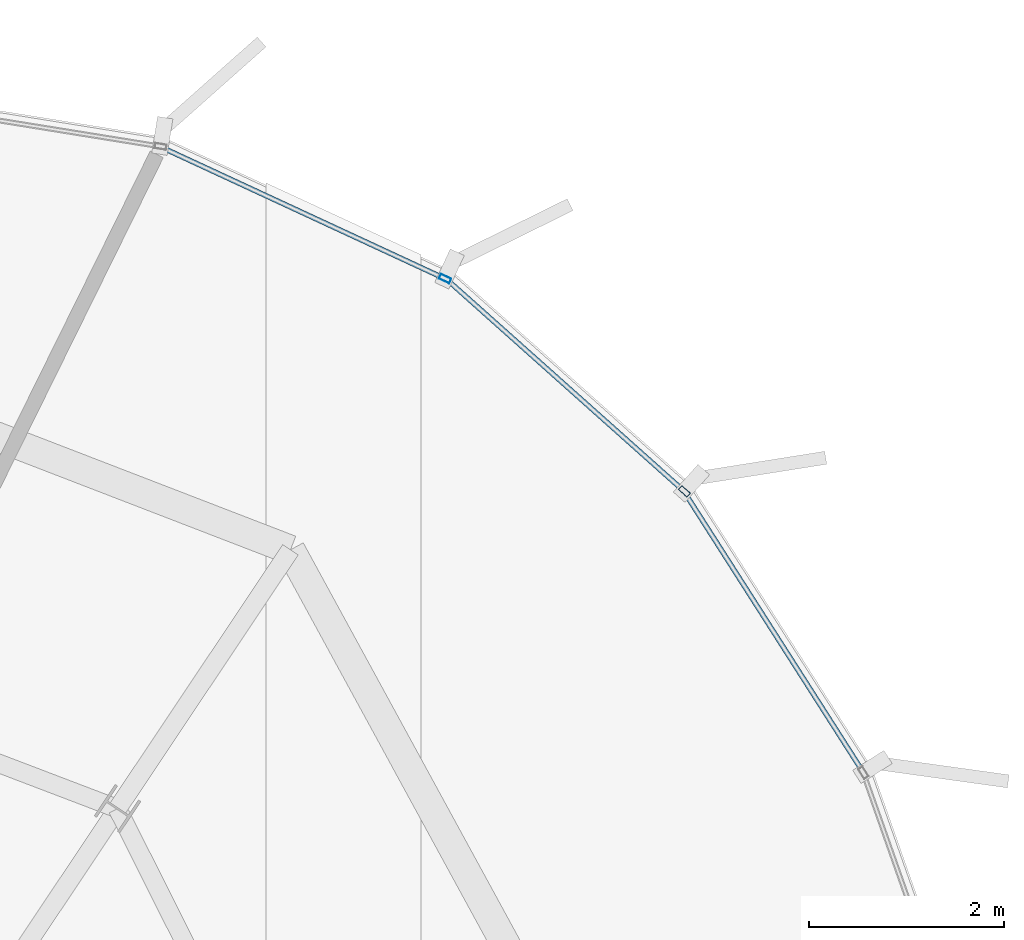
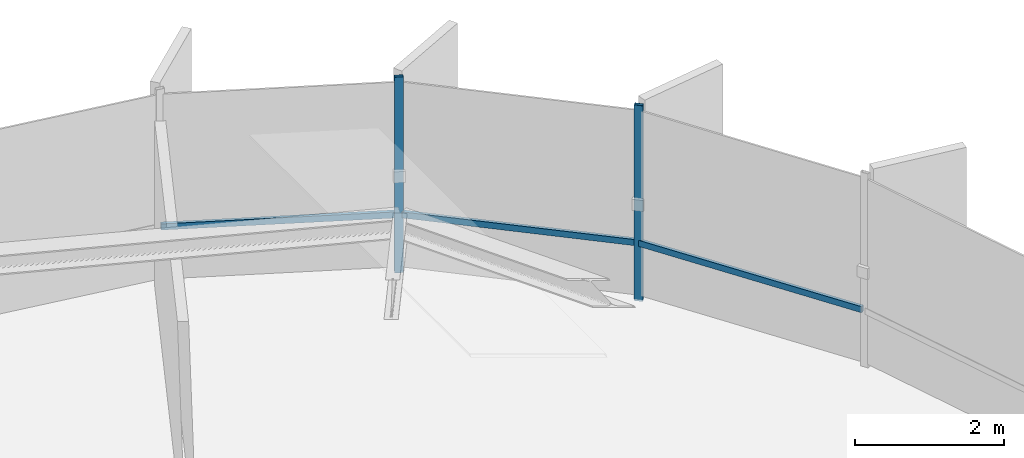
# One storey, part 25 of 34: 5 members, 2 elements without a shape of their own.
"""IFC4 building model written with IfcOpenShell, lengths in metres."""

from ifc_helpers import new_model, si_unit, direction, frame, origin, origin_2d, place, context, subcontext, project, spatial, hollow_rectangle, extrude, source, transform, mapped, material, layer, layer_set, material_profile, profile_set, type_object, element, aggregate, save


model = new_model("IFC4")

# Units and contexts
model_context = context("Model", 3, precision=1e-05, world=origin(), true_north=direction((0.0, 1.0)))
body_context = subcontext(model_context, "Body", "Model", "MODEL_VIEW")
ifc_project = project(units=[si_unit("LENGTHUNIT", "METRE"), si_unit("AREAUNIT", "SQUARE_METRE"), si_unit("VOLUMEUNIT", "CUBIC_METRE"), si_unit("PLANEANGLEUNIT", "RADIAN"), si_unit("MASSUNIT", "GRAM", prefix="KILO"), si_unit("THERMODYNAMICTEMPERATUREUNIT", "KELVIN")], contexts=[model_context])

# Site, building, storey
site_placement = place(None, origin())
site = spatial("IfcSite", under=ifc_project, at=site_placement, CompositionType="ELEMENT")
building_placement = place(site_placement, origin())
building = spatial("IfcBuilding", under=site, at=building_placement, Name="Kethvar Cultural Tower", CompositionType="ELEMENT")
storey_placement = place(building_placement, frame((0.0, 0.0, 262.89990234375)))
storey = spatial("IfcBuildingStorey", under=building, at=storey_placement, Name="L69", CompositionType="ELEMENT", Elevation=262.89990234375)

# Curtain wall, member
ifc_material = material(Name="Aluminium 6063-T6", Category="aluminium")
ifc_layer = layer(ifc_material, 0.179931640625, Name="Aluminium 6063-T6", Category="aluminium")
ifc_layer_set = layer_set([ifc_layer], Name="Aluminium 6063-T6 (180 mm)")
curtain_wall_type = type_object("IfcCurtainWallType", Name="CW-SYS-05-Z56", PredefinedType="NOTDEFINED", material=ifc_layer_set)
curtain_wall_1_placement = place(storey_placement, origin())
curtain_wall_1 = element("IfcCurtainWall", 1, at=curtain_wall_1_placement, inside=storey, type_object=curtain_wall_type, Name="L69 Curtain Wall Run 01", PredefinedType="NOTDEFINED")
ifc_material_profile_1 = material_profile(ifc_material, hollow_rectangle(XDim=0.054931640625, YDim=0.1201171875, WallThickness=0.00390625, at=origin_2d()), Name="Aluminium 6063-T6 — RHS120x55x4")
ifc_profile_set_1 = profile_set([ifc_material_profile_1], Name="Aluminium 6063-T6 — RHS120x55x4")
member_type_1 = type_object("IfcMemberType", Name="CW-SYS-05-Z56-MUL", PredefinedType="MULLION", material=ifc_profile_set_1)
shared_shape_1 = source(origin(), body_context, "Body", "SweptSolid", [
    extrude(hollow_rectangle(XDim=0.054931640625, YDim=0.1201171875, WallThickness=0.00390625, at=origin_2d()), origin(), (0.0, 0.0, 1.0), 3.210205078125),
])
member_1_placement = place(storey_placement, frame((61.2421875, 49.823974609375, 0.0), z_axis=(0.0, 0.0, 1.0), x_axis=(-0.420481653188, -0.907301041183, 0.0)))
member_1 = element("IfcMember", 2, at=member_1_placement, type_object=member_type_1, Name="CW-L69-R01 Mullion 1", PredefinedType="MULLION", context=body_context, shape_type="MappedRepresentation", body=[
    mapped(shared_shape_1, transform((0.0, 0.0, 0.0), scale=1.0)),
])

curtain_wall_2_placement = place(storey_placement, origin())
curtain_wall_2 = element("IfcCurtainWall", 3, at=curtain_wall_2_placement, inside=storey, type_object=curtain_wall_type, Name="L69 Curtain Wall Run 06", PredefinedType="NOTDEFINED")
member_2_placement = place(storey_placement, frame((63.702880859375, 47.636962890625, 0.0), z_axis=(0.0, 0.0, 1.0), x_axis=(-0.665673301518, -0.74624329521, 0.0)))
member_2 = element("IfcMember", 4, at=member_2_placement, type_object=member_type_1, Name="CW-L69-R06 Mullion 6", PredefinedType="MULLION", context=body_context, shape_type="MappedRepresentation", body=[
    mapped(shared_shape_1, transform((0.0, 0.0, 0.0), scale=1.0)),
])

# Member
ifc_material_profile_2 = material_profile(ifc_material, hollow_rectangle(XDim=0.050048828125, YDim=0.10009765625, WallThickness=0.00390625, at=origin_2d()), Name="Aluminium 6063-T6 — RHS100x50x4")
ifc_profile_set_2 = profile_set([ifc_material_profile_2], Name="Aluminium 6063-T6 — RHS100x50x4")
member_type_2 = type_object("IfcMemberType", Name="CW-SYS-05-Z56-TRN", PredefinedType="USERDEFINED", material=ifc_profile_set_2)
shared_shape_2 = source(origin(), body_context, "Body", "SweptSolid", [
    extrude(hollow_rectangle(XDim=0.050048828125, YDim=0.10009765625, WallThickness=0.00390625, at=origin_2d()), origin(), (0.0, 0.0, 1.0), 3.207763671875),
])
member_3_placement = place(storey_placement, frame((61.23876953125, 49.825439453125, 0.9501953125), z_axis=(-0.907292193463, 0.420500743972, 0.0), x_axis=(-0.420500743972, -0.907292193463, 0.0)))
member_3 = element("IfcMember", 5, at=member_3_placement, type_object=member_type_2, Name="CW-L69-R01 Transom 1", ObjectType="TRANSOM", PredefinedType="USERDEFINED", context=body_context, shape_type="MappedRepresentation", body=[
    mapped(shared_shape_2, transform((0.0, 0.0, 0.0), scale=1.0)),
])

aggregate(curtain_wall_1, [member_1, member_3])

shared_shape_3 = source(origin(), body_context, "Body", "SweptSolid", [
    extrude(hollow_rectangle(XDim=0.050048828125, YDim=0.10009765625, WallThickness=0.00390625, at=origin_2d()), origin(), (0.0, 0.0, 1.0), 3.3759765625),
])
member_4_placement = place(storey_placement, frame((65.52294921875, 44.778564453125, 0.9501953125), z_axis=(-0.538035452922, 0.842922209578, 0.0), x_axis=(-0.842922209578, -0.538035452922, 0.0)))
member_4 = element("IfcMember", 6, at=member_4_placement, type_object=member_type_2, Name="CW-L69-R06 Transom 5", ObjectType="TRANSOM", PredefinedType="USERDEFINED", context=body_context, shape_type="MappedRepresentation", body=[
    mapped(shared_shape_3, transform((0.0, 0.0, 0.0), scale=1.0)),
])

shared_shape_4 = source(origin(), body_context, "Body", "SweptSolid", [
    extrude(hollow_rectangle(XDim=0.050048828125, YDim=0.10009765625, WallThickness=0.00390625, at=origin_2d()), origin(), (0.0, 0.0, 1.0), 3.2080078125),
])
member_5_placement = place(storey_placement, frame((63.673583984375, 47.6630859375, 0.9501953125), z_axis=(-0.746219819005, 0.665699618239, 0.0), x_axis=(-0.665699618239, -0.746219819005, 0.0)))
member_5 = element("IfcMember", 7, at=member_5_placement, type_object=member_type_2, Name="CW-L69-R06 Transom 6", ObjectType="TRANSOM", PredefinedType="USERDEFINED", context=body_context, shape_type="MappedRepresentation", body=[
    mapped(shared_shape_4, transform((0.0, 0.0, 0.0), scale=1.0)),
])

aggregate(curtain_wall_2, [member_2, member_4, member_5])

save(model, "model.ifc")
